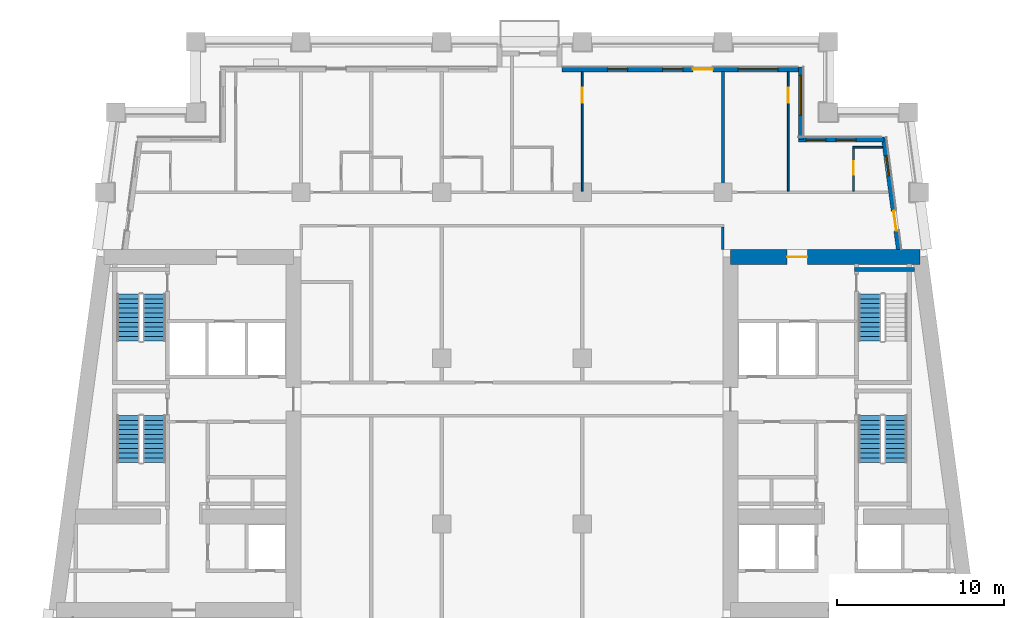
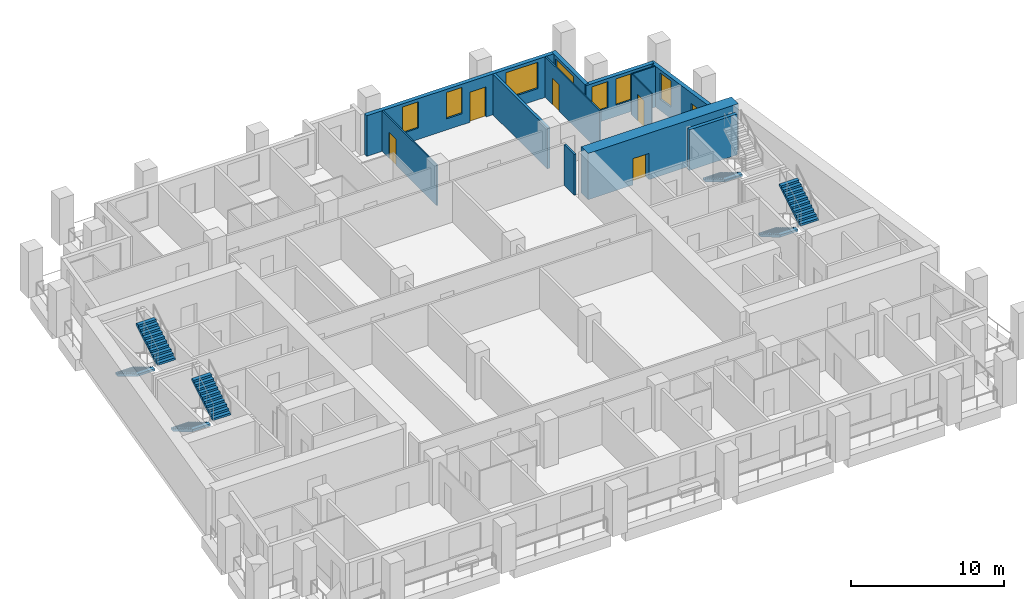
# One storey, part 7 of 13: 12 walls, 7 stair flights, 7 windows, 6 doors, 13 openings, 4 elements without a shape of their own.
"""IFC4 building model written with IfcOpenShell, lengths in metres."""

from ifc_helpers import new_model, si_unit, direction, frame, frame_2d, origin, place, context, subcontext, project, spatial, polyline, rectangle, outline, extrude, material, layer, layer_set, type_object, element, fill, aggregate, save


model = new_model("IFC4")

# Units and contexts
model_context = context("Model", 3, precision=1e-05, world=origin(), true_north=direction((0.0, 1.0)))
body_context = subcontext(model_context, "Body", "Model", "MODEL_VIEW")
ifc_project = project(units=[si_unit("LENGTHUNIT", "METRE"), si_unit("AREAUNIT", "SQUARE_METRE"), si_unit("VOLUMEUNIT", "CUBIC_METRE"), si_unit("PLANEANGLEUNIT", "RADIAN"), si_unit("MASSUNIT", "GRAM", prefix="KILO")], contexts=[model_context])

# Site, building, storey
site_placement = place(None, origin())
site = spatial("IfcSite", under=ifc_project, at=site_placement, CompositionType="ELEMENT")
building_placement = place(site_placement, origin())
building = spatial("IfcBuilding", under=site, at=building_placement, Name="Candeia Pilgrim Tower and Theatre", CompositionType="ELEMENT")
storey_placement = place(building_placement, frame((0.0, 0.0, 188.5)))
storey = spatial("IfcBuildingStorey", under=building, at=storey_placement, Name="L45", CompositionType="ELEMENT", Elevation=188.5)

# Wall, opening, door
ifc_material_1 = material(Name="Concrete C60/75", Category="concrete")
ifc_layer_1 = layer(ifc_material_1, 0.89990234375)
ifc_layer_set_1 = layer_set([ifc_layer_1], Name="Core wall 900 C60/75")
wall_type_1 = type_object("IfcWallType", Name="Core wall 900 C60/75", PredefinedType="SHEAR", material=ifc_layer_set_1)
wall_1_placement = place(storey_placement, frame((126.449951171875, 131.949951171875, 0.0), z_axis=(0.0, 0.0, 1.0), x_axis=(1.0, 0.0, 0.0)))
wall_1 = element("IfcWall", 1, at=wall_1_placement, inside=storey, type_object=wall_type_1, Name="Core wall E1", PredefinedType="SHEAR", context=body_context, shape_type="SweptSolid", body=[
    extrude(rectangle(XDim=11.32568359375, YDim=0.89990234375, at=frame_2d((5.662841796875, 0.0))), origin(), (0.0, 0.0, 1.0), 3.699951171875),
])
opening_1_placement = place(wall_1_placement, frame((3.386474609375, 0.0, 0.0)))
opening_1 = element("IfcOpeningElement", 2, at=opening_1_placement, cuts=wall_1, Name="Opening L45-D059", PredefinedType="OPENING", context=body_context, shape_type="SweptSolid", body=[
    extrude(rectangle(XDim=1.199951171875, YDim=2.10009765625, at=frame_2d((0.60009765625, 1.050048828125))), frame((0.0, 0.4599609375, 0.0), z_axis=(0.0, -1.0, 0.0), x_axis=(1.0, 0.0, 0.0)), (0.0, 0.0, 1.0), 0.919921875),
])
ifc_material_2 = material(Name="Steel fire door set", Category="steel")
door_type_1 = type_object("IfcDoorType", Name="D-1200-FD60", OperationType="NOTDEFINED", PredefinedType="DOOR", material=ifc_material_2)
door_1_placement = place(opening_1_placement, origin())
door_1 = element("IfcDoor", 3, at=door_1_placement, inside=storey, type_object=door_type_1, Name="Door L45-D059", OperationType="SINGLE_SWING_RIGHT", OverallHeight=2.10009765625, OverallWidth=1.199951171875, PredefinedType="DOOR", context=body_context, shape_type="SweptSolid", body=[
    extrude(rectangle(XDim=1.199951171875, YDim=2.10009765625, at=frame_2d((0.60009765625, 1.050048828125))), frame((0.0, 0.02490234375, 0.0), z_axis=(0.0, -1.0, 0.0), x_axis=(1.0, 0.0, 0.0)), (0.0, 0.0, 1.0), 0.050048828125),
])
fill(opening_1, door_1)

# Wall, openings, door, window
ifc_material_3 = material(Name="Ceramic block masonry", Category="masonry")
ifc_layer_2 = layer(ifc_material_3, 0.300048828125)
ifc_layer_set_2 = layer_set([ifc_layer_2], Name="EW1 glazing-line wall 300")
wall_type_2 = type_object("IfcWallType", Name="EW1 glazing-line wall 300", PredefinedType="SOLIDWALL", material=ifc_layer_set_2)
wall_2_placement = place(storey_placement, frame((136.50439453125, 132.39990234375, 0.0), z_axis=(0.0, 0.0, 1.0), x_axis=(-0.133399697462, 0.99106231929, 0.0)))
wall_2 = element("IfcWall", 4, at=wall_2_placement, inside=storey, type_object=wall_type_2, Name="External wall L45-3.1", PredefinedType="SOLIDWALL", context=body_context, shape_type="SweptSolid", body=[
    extrude(rectangle(XDim=6.740478515625, YDim=0.300048828125, at=frame_2d((3.3701171875, 0.0))), origin(), (0.0, 0.0, 1.0), 3.25),
])
opening_2_placement = place(wall_2_placement, frame((1.115234375, 0.0, 0.0)))
opening_2 = element("IfcOpeningElement", 5, at=opening_2_placement, cuts=wall_2, Name="Opening L45-ED433", PredefinedType="OPENING", context=body_context, shape_type="SweptSolid", body=[
    extrude(rectangle(XDim=1.199951171875, YDim=2.39990234375, at=frame_2d((0.60009765625, 1.199951171875))), frame((0.0, 0.16015625, 0.0), z_axis=(0.0, -1.0, 0.0), x_axis=(1.0, 0.0, 0.0)), (0.0, 0.0, 1.0), 0.320068359375),
])
opening_3_placement = place(wall_2_placement, frame((4.435546875, 0.0, 0.89990234375)))
opening_3 = element("IfcOpeningElement", 6, at=opening_3_placement, cuts=wall_2, Name="Opening W-B", PredefinedType="OPENING", context=body_context, shape_type="SweptSolid", body=[
    extrude(rectangle(XDim=1.199951171875, YDim=2.10009765625, at=frame_2d((0.60009765625, 1.050048828125))), frame((0.0, 0.16015625, 0.0), z_axis=(0.0, -1.0, 0.0), x_axis=(1.0, 0.0, 0.0)), (0.0, 0.0, 1.0), 0.320068359375),
])
ifc_material_4 = material(Name="Aluminium framed glazed door", Category="aluminium")
door_type_2 = type_object("IfcDoorType", Name="Loggia door 1200x2400", OperationType="DOUBLE_DOOR_SINGLE_SWING", PredefinedType="DOOR", material=ifc_material_4)
door_2_placement = place(opening_2_placement, origin())
door_2 = element("IfcDoor", 7, at=door_2_placement, inside=storey, type_object=door_type_2, Name="Loggia door L45-ED433", OperationType="DOUBLE_DOOR_SINGLE_SWING", OverallHeight=2.39990234375, OverallWidth=1.199951171875, PredefinedType="DOOR", context=body_context, shape_type="SweptSolid", body=[
    extrude(rectangle(XDim=1.199951171875, YDim=2.39990234375, at=frame_2d((0.60009765625, 1.199951171875))), frame((0.0, 0.02490234375, 0.0), z_axis=(0.0, -1.0, 0.0), x_axis=(1.0, 0.0, 0.0)), (0.0, 0.0, 1.0), 0.050048828125),
])
fill(opening_2, door_2)
ifc_material_5 = material(Name="Aluminium framed double glazing", Category="aluminium")
window_type_1 = type_object("IfcWindowType", Name="W-B window 1200x2100", PartitioningType="SINGLE_PANEL", PredefinedType="WINDOW", material=ifc_material_5)
window_1_placement = place(opening_3_placement, origin())
window_1 = element("IfcWindow", 8, at=window_1_placement, inside=storey, type_object=window_type_1, Name="Window W-B L45", OverallHeight=2.10009765625, OverallWidth=1.199951171875, PartitioningType="SINGLE_PANEL", PredefinedType="WINDOW", context=body_context, shape_type="SweptSolid", body=[
    extrude(rectangle(XDim=1.199951171875, YDim=2.10009765625, at=frame_2d((0.60009765625, 1.050048828125))), frame((0.0, 0.030029296875, 0.0), z_axis=(0.0, -1.0, 0.0), x_axis=(1.0, 0.0, 0.0)), (0.0, 0.0, 1.0), 0.06005859375),
])
fill(opening_3, window_1)

# Wall, openings, windows
wall_3_placement = place(storey_placement, frame((135.62255859375, 138.949951171875, 0.0), z_axis=(0.0, 0.0, 1.0), x_axis=(-1.0, 0.0, 0.0)))
wall_3 = element("IfcWall", 9, at=wall_3_placement, inside=storey, type_object=wall_type_2, Name="External wall L45-4.0", PredefinedType="SOLIDWALL", context=body_context, shape_type="SweptSolid", body=[
    extrude(rectangle(XDim=5.12255859375, YDim=0.300048828125, at=frame_2d((2.561279296875, 0.0))), origin(), (0.0, 0.0, 1.0), 3.25),
])
opening_4_placement = place(wall_3_placement, frame((1.672607421875, 0.0, 0.89990234375)))
opening_4 = element("IfcOpeningElement", 10, at=opening_4_placement, cuts=wall_3, Name="Opening W-B", PredefinedType="OPENING", context=body_context, shape_type="SweptSolid", body=[
    extrude(rectangle(XDim=1.199951171875, YDim=2.10009765625, at=frame_2d((0.60009765625, 1.050048828125))), frame((0.0, 0.16015625, 0.0), z_axis=(0.0, -1.0, 0.0), x_axis=(1.0, 0.0, 0.0)), (0.0, 0.0, 1.0), 0.320068359375),
])
opening_5_placement = place(wall_3_placement, frame((3.47265625, 0.0, 0.89990234375)))
opening_5 = element("IfcOpeningElement", 11, at=opening_5_placement, cuts=wall_3, Name="Opening W-B", PredefinedType="OPENING", context=body_context, shape_type="SweptSolid", body=[
    extrude(rectangle(XDim=1.199951171875, YDim=2.10009765625, at=frame_2d((0.60009765625, 1.050048828125))), frame((0.0, 0.16015625, 0.0), z_axis=(0.0, -1.0, 0.0), x_axis=(1.0, 0.0, 0.0)), (0.0, 0.0, 1.0), 0.320068359375),
])
window_2_placement = place(opening_4_placement, origin())
window_2 = element("IfcWindow", 12, at=window_2_placement, inside=storey, type_object=window_type_1, Name="Window W-B L45", OverallHeight=2.10009765625, OverallWidth=1.199951171875, PartitioningType="SINGLE_PANEL", PredefinedType="WINDOW", context=body_context, shape_type="SweptSolid", body=[
    extrude(rectangle(XDim=1.199951171875, YDim=2.10009765625, at=frame_2d((0.60009765625, 1.050048828125))), frame((0.0, 0.030029296875, 0.0), z_axis=(0.0, -1.0, 0.0), x_axis=(1.0, 0.0, 0.0)), (0.0, 0.0, 1.0), 0.06005859375),
])
fill(opening_4, window_2)
window_3_placement = place(opening_5_placement, origin())
window_3 = element("IfcWindow", 13, at=window_3_placement, inside=storey, type_object=window_type_1, Name="Window W-B L45", OverallHeight=2.10009765625, OverallWidth=1.199951171875, PartitioningType="SINGLE_PANEL", PredefinedType="WINDOW", context=body_context, shape_type="SweptSolid", body=[
    extrude(rectangle(XDim=1.199951171875, YDim=2.10009765625, at=frame_2d((0.60009765625, 1.050048828125))), frame((0.0, 0.030029296875, 0.0), z_axis=(0.0, -1.0, 0.0), x_axis=(1.0, 0.0, 0.0)), (0.0, 0.0, 1.0), 0.06005859375),
])
fill(opening_5, window_3)

# Wall, opening, window
wall_4_placement = place(storey_placement, frame((130.64990234375, 138.949951171875, 0.0), z_axis=(0.0, 0.0, 1.0), x_axis=(0.0, 1.0, 0.0)))
wall_4 = element("IfcWall", 14, at=wall_4_placement, inside=storey, type_object=wall_type_2, Name="External wall L45-5.0", PredefinedType="SOLIDWALL", context=body_context, shape_type="SweptSolid", body=[
    extrude(rectangle(XDim=4.35009765625, YDim=0.300048828125, at=frame_2d((2.175048828125, 0.0))), origin(), (0.0, 0.0, 1.0), 3.25),
])
opening_6_placement = place(wall_4_placement, frame((1.449951171875, 0.0, 0.89990234375)))
opening_6 = element("IfcOpeningElement", 15, at=opening_6_placement, cuts=wall_4, Name="Opening W-A", PredefinedType="OPENING", context=body_context, shape_type="SweptSolid", body=[
    extrude(rectangle(XDim=2.39990234375, YDim=2.10009765625, at=frame_2d((1.199951171875, 1.050048828125))), frame((0.0, 0.16015625, 0.0), z_axis=(0.0, -1.0, 0.0), x_axis=(1.0, 0.0, 0.0)), (0.0, 0.0, 1.0), 0.320068359375),
])
window_type_2 = type_object("IfcWindowType", Name="W-A window 2400x2100", PartitioningType="DOUBLE_PANEL_VERTICAL", PredefinedType="WINDOW", material=ifc_material_5)
window_4_placement = place(opening_6_placement, origin())
window_4 = element("IfcWindow", 16, at=window_4_placement, inside=storey, type_object=window_type_2, Name="Window W-A L45", OverallHeight=2.10009765625, OverallWidth=2.39990234375, PartitioningType="SINGLE_PANEL", PredefinedType="WINDOW", context=body_context, shape_type="SweptSolid", body=[
    extrude(rectangle(XDim=2.39990234375, YDim=2.10009765625, at=frame_2d((1.199951171875, 1.050048828125))), frame((0.0, 0.030029296875, 0.0), z_axis=(0.0, -1.0, 0.0), x_axis=(1.0, 0.0, 0.0)), (0.0, 0.0, 1.0), 0.06005859375),
])
fill(opening_6, window_4)

# Wall, openings, door, windows
wall_5_placement = place(storey_placement, frame((130.64990234375, 143.14990234375, 0.0), z_axis=(0.0, 0.0, 1.0), x_axis=(-1.0, 0.0, 0.0)))
wall_5 = element("IfcWall", 17, at=wall_5_placement, inside=storey, type_object=wall_type_2, Name="External wall L45-6.0", PredefinedType="SOLIDWALL", context=body_context, shape_type="SweptSolid", body=[
    extrude(rectangle(XDim=14.25, YDim=0.300048828125, at=frame_2d((7.125, 0.0))), origin(), (0.0, 0.0, 1.0), 3.25),
])
opening_7_placement = place(wall_5_placement, frame((1.35009765625, 0.0, 0.89990234375)))
opening_7 = element("IfcOpeningElement", 18, at=opening_7_placement, cuts=wall_5, Name="Opening W-A", PredefinedType="OPENING", context=body_context, shape_type="SweptSolid", body=[
    extrude(rectangle(XDim=2.39990234375, YDim=2.10009765625, at=frame_2d((1.199951171875, 1.050048828125))), frame((0.0, 0.16015625, 0.0), z_axis=(0.0, -1.0, 0.0), x_axis=(1.0, 0.0, 0.0)), (0.0, 0.0, 1.0), 0.320068359375),
])
opening_8_placement = place(wall_5_placement, frame((5.25, 0.0, 0.0)))
opening_8 = element("IfcOpeningElement", 19, at=opening_8_placement, cuts=wall_5, Name="Opening L45-ED434", PredefinedType="OPENING", context=body_context, shape_type="SweptSolid", body=[
    extrude(rectangle(XDim=1.199951171875, YDim=2.39990234375, at=frame_2d((0.60009765625, 1.199951171875))), frame((0.0, 0.16015625, 0.0), z_axis=(0.0, -1.0, 0.0), x_axis=(1.0, 0.0, 0.0)), (0.0, 0.0, 1.0), 0.320068359375),
])
opening_9_placement = place(wall_5_placement, frame((7.050048828125, 0.0, 0.89990234375)))
opening_9 = element("IfcOpeningElement", 20, at=opening_9_placement, cuts=wall_5, Name="Opening W-B", PredefinedType="OPENING", context=body_context, shape_type="SweptSolid", body=[
    extrude(rectangle(XDim=1.199951171875, YDim=2.10009765625, at=frame_2d((0.60009765625, 1.050048828125))), frame((0.0, 0.16015625, 0.0), z_axis=(0.0, -1.0, 0.0), x_axis=(1.0, 0.0, 0.0)), (0.0, 0.0, 1.0), 0.320068359375),
])
opening_10_placement = place(wall_5_placement, frame((10.35009765625, 0.0, 0.89990234375)))
opening_10 = element("IfcOpeningElement", 21, at=opening_10_placement, cuts=wall_5, Name="Opening W-B", PredefinedType="OPENING", context=body_context, shape_type="SweptSolid", body=[
    extrude(rectangle(XDim=1.199951171875, YDim=2.10009765625, at=frame_2d((0.60009765625, 1.050048828125))), frame((0.0, 0.16015625, 0.0), z_axis=(0.0, -1.0, 0.0), x_axis=(1.0, 0.0, 0.0)), (0.0, 0.0, 1.0), 0.320068359375),
])
door_3_placement = place(opening_8_placement, origin())
door_3 = element("IfcDoor", 22, at=door_3_placement, inside=storey, type_object=door_type_2, Name="Loggia door L45-ED434", OperationType="DOUBLE_DOOR_SINGLE_SWING", OverallHeight=2.39990234375, OverallWidth=1.199951171875, PredefinedType="DOOR", context=body_context, shape_type="SweptSolid", body=[
    extrude(rectangle(XDim=1.199951171875, YDim=2.39990234375, at=frame_2d((0.60009765625, 1.199951171875))), frame((0.0, 0.02490234375, 0.0), z_axis=(0.0, -1.0, 0.0), x_axis=(1.0, 0.0, 0.0)), (0.0, 0.0, 1.0), 0.050048828125),
])
fill(opening_8, door_3)
window_5_placement = place(opening_7_placement, origin())
window_5 = element("IfcWindow", 23, at=window_5_placement, inside=storey, type_object=window_type_2, Name="Window W-A L45", OverallHeight=2.10009765625, OverallWidth=2.39990234375, PartitioningType="SINGLE_PANEL", PredefinedType="WINDOW", context=body_context, shape_type="SweptSolid", body=[
    extrude(rectangle(XDim=2.39990234375, YDim=2.10009765625, at=frame_2d((1.199951171875, 1.050048828125))), frame((0.0, 0.030029296875, 0.0), z_axis=(0.0, -1.0, 0.0), x_axis=(1.0, 0.0, 0.0)), (0.0, 0.0, 1.0), 0.06005859375),
])
fill(opening_7, window_5)
window_6_placement = place(opening_9_placement, origin())
window_6 = element("IfcWindow", 24, at=window_6_placement, inside=storey, type_object=window_type_1, Name="Window W-B L45", OverallHeight=2.10009765625, OverallWidth=1.199951171875, PartitioningType="SINGLE_PANEL", PredefinedType="WINDOW", context=body_context, shape_type="SweptSolid", body=[
    extrude(rectangle(XDim=1.199951171875, YDim=2.10009765625, at=frame_2d((0.60009765625, 1.050048828125))), frame((0.0, 0.030029296875, 0.0), z_axis=(0.0, -1.0, 0.0), x_axis=(1.0, 0.0, 0.0)), (0.0, 0.0, 1.0), 0.06005859375),
])
fill(opening_9, window_6)
window_7_placement = place(opening_10_placement, origin())
window_7 = element("IfcWindow", 25, at=window_7_placement, inside=storey, type_object=window_type_1, Name="Window W-B L45", OverallHeight=2.10009765625, OverallWidth=1.199951171875, PartitioningType="SINGLE_PANEL", PredefinedType="WINDOW", context=body_context, shape_type="SweptSolid", body=[
    extrude(rectangle(XDim=1.199951171875, YDim=2.10009765625, at=frame_2d((0.60009765625, 1.050048828125))), frame((0.0, 0.030029296875, 0.0), z_axis=(0.0, -1.0, 0.0), x_axis=(1.0, 0.0, 0.0)), (0.0, 0.0, 1.0), 0.06005859375),
])
fill(opening_10, window_7)

# Wall
ifc_material_6 = material(Name="Gypsum board partition on steel studs", Category="steel")
ifc_layer_3 = layer(ifc_material_6, 0.10009765625)
ifc_layer_set_3 = layer_set([ifc_layer_3], Name="PW-100 room partition")
wall_type_3 = type_object("IfcWallType", Name="PW-100 room partition", PredefinedType="PARTITIONING", material=ifc_layer_set_3)
wall_6_placement = place(storey_placement, frame((133.75, 138.5, 0.0), z_axis=(0.0, 0.0, 1.0), x_axis=(1.0, 0.0, 0.0)))
element("IfcWall", 26, at=wall_6_placement, inside=storey, type_object=wall_type_3, Name="Room partition L45-047", PredefinedType="PARTITIONING", context=body_context, shape_type="SweptSolid", body=[
    extrude(rectangle(XDim=1.7919921875, YDim=0.10009765625, at=frame_2d((0.89599609375, 0.0))), origin(), (0.0, 0.0, 1.0), 3.25),
])

# Wall, opening, door
wall_7_placement = place(storey_placement, frame((117.60009765625, 135.875, 0.0), z_axis=(0.0, 0.0, 1.0), x_axis=(0.0, 1.0, 0.0)))
wall_7 = element("IfcWall", 27, at=wall_7_placement, inside=storey, type_object=wall_type_3, Name="Room partition L45-088", PredefinedType="PARTITIONING", context=body_context, shape_type="SweptSolid", body=[
    extrude(rectangle(XDim=7.135009765625, YDim=0.10009765625, at=frame_2d((3.5673828125, 0.0))), origin(), (0.0, 0.0, 1.0), 3.25),
])
opening_11_placement = place(wall_7_placement, frame((5.2900390625, 0.0, 0.0)))
opening_11 = element("IfcOpeningElement", 28, at=opening_11_placement, cuts=wall_7, Name="Opening L45-D041", PredefinedType="OPENING", context=body_context, shape_type="SweptSolid", body=[
    extrude(rectangle(XDim=0.89990234375, YDim=2.10009765625, at=frame_2d((0.449951171875, 1.050048828125))), frame((0.0, 0.06005859375, 0.0), z_axis=(0.0, -1.0, 0.0), x_axis=(1.0, 0.0, 0.0)), (0.0, 0.0, 1.0), 0.1201171875),
])
ifc_material_7 = material(Name="Timber door leaf", Category="wood")
door_type_3 = type_object("IfcDoorType", Name="D-900", OperationType="NOTDEFINED", PredefinedType="DOOR", material=ifc_material_7)
door_4_placement = place(opening_11_placement, origin())
door_4 = element("IfcDoor", 29, at=door_4_placement, inside=storey, type_object=door_type_3, Name="Door L45-D041", OperationType="SINGLE_SWING_RIGHT", OverallHeight=2.10009765625, OverallWidth=0.89990234375, PredefinedType="DOOR", context=body_context, shape_type="SweptSolid", body=[
    extrude(rectangle(XDim=0.89990234375, YDim=2.10009765625, at=frame_2d((0.449951171875, 1.050048828125))), frame((0.0, 0.02490234375, 0.0), z_axis=(0.0, -1.0, 0.0), x_axis=(1.0, 0.0, 0.0)), (0.0, 0.0, 1.0), 0.050048828125),
])
fill(opening_11, door_4)

wall_8_placement = place(storey_placement, frame((129.89990234375, 135.875, 0.0), z_axis=(0.0, 0.0, 1.0), x_axis=(0.0, 1.0, 0.0)))
wall_8 = element("IfcWall", 30, at=wall_8_placement, inside=storey, type_object=wall_type_3, Name="Room partition L45-103", PredefinedType="PARTITIONING", context=body_context, shape_type="SweptSolid", body=[
    extrude(rectangle(XDim=7.135009765625, YDim=0.10009765625, at=frame_2d((3.5673828125, 0.0))), origin(), (0.0, 0.0, 1.0), 3.25),
])
opening_12_placement = place(wall_8_placement, frame((5.2900390625, 0.0, 0.0)))
opening_12 = element("IfcOpeningElement", 31, at=opening_12_placement, cuts=wall_8, Name="Opening L45-D044", PredefinedType="OPENING", context=body_context, shape_type="SweptSolid", body=[
    extrude(rectangle(XDim=0.89990234375, YDim=2.10009765625, at=frame_2d((0.449951171875, 1.050048828125))), frame((0.0, 0.06005859375, 0.0), z_axis=(0.0, -1.0, 0.0), x_axis=(1.0, 0.0, 0.0)), (0.0, 0.0, 1.0), 0.1201171875),
])
door_5_placement = place(opening_12_placement, origin())
door_5 = element("IfcDoor", 32, at=door_5_placement, inside=storey, type_object=door_type_3, Name="Door L45-D044", OperationType="SINGLE_SWING_LEFT", OverallHeight=2.10009765625, OverallWidth=0.89990234375, PredefinedType="DOOR", context=body_context, shape_type="SweptSolid", body=[
    extrude(rectangle(XDim=0.89990234375, YDim=2.10009765625, at=frame_2d((0.449951171875, 1.050048828125))), frame((0.0, 0.02490234375, 0.0), z_axis=(0.0, -1.0, 0.0), x_axis=(1.0, 0.0, 0.0)), (0.0, 0.0, 1.0), 0.050048828125),
])
fill(opening_12, door_5)

wall_9_placement = place(storey_placement, frame((133.800048828125, 135.875, 0.0), z_axis=(0.0, 0.0, 1.0), x_axis=(0.0, 1.0, 0.0)))
wall_9 = element("IfcWall", 33, at=wall_9_placement, inside=storey, type_object=wall_type_3, Name="Room partition L45-109", PredefinedType="PARTITIONING", context=body_context, shape_type="SweptSolid", body=[
    extrude(rectangle(XDim=2.574951171875, YDim=0.10009765625, at=frame_2d((1.28759765625, 0.0))), origin(), (0.0, 0.0, 1.0), 3.25),
])
opening_13_placement = place(wall_9_placement, frame((0.9951171875, 0.0, 0.0)))
opening_13 = element("IfcOpeningElement", 34, at=opening_13_placement, cuts=wall_9, Name="Opening L45-D045", PredefinedType="OPENING", context=body_context, shape_type="SweptSolid", body=[
    extrude(rectangle(XDim=0.800048828125, YDim=2.10009765625, at=frame_2d((0.39990234375, 1.050048828125))), frame((0.0, 0.06005859375, 0.0), z_axis=(0.0, -1.0, 0.0), x_axis=(1.0, 0.0, 0.0)), (0.0, 0.0, 1.0), 0.1201171875),
])
door_type_4 = type_object("IfcDoorType", Name="D-800", OperationType="NOTDEFINED", PredefinedType="DOOR", material=ifc_material_7)
door_6_placement = place(opening_13_placement, origin())
door_6 = element("IfcDoor", 35, at=door_6_placement, inside=storey, type_object=door_type_4, Name="Door L45-D045", OperationType="SINGLE_SWING_RIGHT", OverallHeight=2.10009765625, OverallWidth=0.800048828125, PredefinedType="DOOR", context=body_context, shape_type="SweptSolid", body=[
    extrude(rectangle(XDim=0.800048828125, YDim=2.10009765625, at=frame_2d((0.39990234375, 1.050048828125))), frame((0.0, 0.02490234375, 0.0), z_axis=(0.0, -1.0, 0.0), x_axis=(1.0, 0.0, 0.0)), (0.0, 0.0, 1.0), 0.050048828125),
])
fill(opening_13, door_6)

# Walls
ifc_layer_4 = layer(ifc_material_6, 0.14990234375)
ifc_layer_set_4 = layer_set([ifc_layer_4], Name="PW-150 unit wall")
wall_type_4 = type_object("IfcWallType", Name="PW-150 unit wall", PredefinedType="PARTITIONING", material=ifc_layer_set_4)
wall_10_placement = place(storey_placement, frame((126.0, 132.39990234375, 0.0), z_axis=(0.0, 0.0, 1.0), x_axis=(0.0, 1.0, 0.0)))
element("IfcWall", 36, at=wall_10_placement, inside=storey, type_object=wall_type_4, Name="Unit wall L45-098", PredefinedType="PARTITIONING", context=body_context, shape_type="SweptSolid", body=[
    extrude(rectangle(XDim=1.3251953125, YDim=0.14990234375, at=frame_2d((0.66259765625, 0.0))), origin(), (0.0, 0.0, 1.0), 3.25),
])
ifc_layer_5 = layer(ifc_material_6, 0.199951171875)
ifc_layer_set_5 = layer_set([ifc_layer_5], Name="PW-200 party wall")
wall_type_5 = type_object("IfcWallType", Name="PW-200 party wall", PredefinedType="PARTITIONING", material=ifc_layer_set_5)
wall_11_placement = place(storey_placement, frame((126.0, 135.875, 0.0), z_axis=(0.0, 0.0, 1.0), x_axis=(0.0, 1.0, 0.0)))
element("IfcWall", 37, at=wall_11_placement, inside=storey, type_object=wall_type_5, Name="Party wall L45-096", PredefinedType="PARTITIONING", context=body_context, shape_type="SweptSolid", body=[
    extrude(rectangle(XDim=7.135009765625, YDim=0.199951171875, at=frame_2d((3.5673828125, 0.0))), origin(), (0.0, 0.0, 1.0), 3.25),
])
ifc_material_8 = material(Name="Concrete C40/50", Category="concrete")
ifc_layer_6 = layer(ifc_material_8, 0.25)
ifc_layer_set_6 = layer_set([ifc_layer_6], Name="SW-250 stair wall")
wall_type_6 = type_object("IfcWallType", Name="SW-250 stair wall", PredefinedType="PARTITIONING", material=ifc_layer_set_6)
wall_12_placement = place(storey_placement, frame((133.847900390625, 131.199951171875, 0.0), z_axis=(0.0, 0.0, 1.0), x_axis=(1.0, 0.0, 0.0)))
element("IfcWall", 38, at=wall_12_placement, inside=storey, type_object=wall_type_6, Name="Stair wall L45-039", PredefinedType="PARTITIONING", context=body_context, shape_type="SweptSolid", body=[
    extrude(rectangle(XDim=3.604736328125, YDim=0.25, at=frame_2d((1.80224609375, 0.0))), origin(), (0.0, 0.0, 1.0), 3.25),
])

# Stair, stair flights
stair_type = type_object("IfcStairType", Name="ST-TWR dog-leg escape stair", PredefinedType="HALF_TURN_STAIR", material=ifc_material_8)
stair_1_placement = place(storey_placement, origin())
stair_1 = element("IfcStair", 39, at=stair_1_placement, inside=storey, type_object=stair_type, Name="L45 Escape stair ST1", PredefinedType="HALF_TURN_STAIR")
stair_flight_type = type_object("IfcStairFlightType", Name="SFL-RC stair flight", PredefinedType="STRAIGHT", material=ifc_material_8)
stair_flight_1_placement = place(storey_placement, frame((90.47705078125, 122.47509765625, 0.0), z_axis=(0.0, 0.0, 1.0), x_axis=(0.0, -1.0, 0.0)))
stair_flight_1 = element("IfcStairFlight", 40, at=stair_flight_1_placement, type_object=stair_flight_type, Name="ST1 flight 1", NumberOfRisers=11, NumberOfTreads=10, PredefinedType="STRAIGHT", RiserHeight=0.168181818, TreadLength=0.28, context=body_context, shape_type="SweptSolid", body=[
    extrude(outline(polyline([(0.0, 0.0), (0.0, 0.168212890625), (0.280029296875, 0.168212890625), (0.280029296875, 0.33642578125), (0.56005859375, 0.33642578125), (0.56005859375, 0.504638671875), (0.840087890625, 0.504638671875), (0.840087890625, 0.672607421875), (1.1201171875, 0.672607421875), (1.1201171875, 0.8408203125), (1.39990234375, 0.8408203125), (1.39990234375, 1.009033203125), (1.679931640625, 1.009033203125), (1.679931640625, 1.17724609375), (1.9599609375, 1.17724609375), (1.9599609375, 1.345458984375), (2.239990234375, 1.345458984375), (2.239990234375, 1.513671875), (2.52001953125, 1.513671875), (2.52001953125, 1.681884765625), (2.800048828125, 1.681884765625), (2.800048828125, 1.85009765625), (2.800048828125, 1.5068359375), (0.291015625, 0.0), (0.0, 0.0)])), frame((0.0, 0.675048828125, 0.0), z_axis=(0.0, -1.0, 0.0), x_axis=(1.0, 0.0, 0.0)), (0.0, 0.0, 1.0), 1.35009765625),
])
stair_flight_2_placement = place(storey_placement, frame((92.027099609375, 119.675048828125, 1.85009765625), z_axis=(0.0, 0.0, 1.0), x_axis=(0.0, 1.0, 0.0)))
stair_flight_2 = element("IfcStairFlight", 41, at=stair_flight_2_placement, type_object=stair_flight_type, Name="ST1 flight 2", NumberOfRisers=11, NumberOfTreads=10, PredefinedType="STRAIGHT", RiserHeight=0.168181818, TreadLength=0.28, context=body_context, shape_type="SweptSolid", body=[
    extrude(outline(polyline([(0.0, 0.0), (0.0, 0.168212890625), (0.280029296875, 0.168212890625), (0.280029296875, 0.33642578125), (0.56005859375, 0.33642578125), (0.56005859375, 0.504638671875), (0.840087890625, 0.504638671875), (0.840087890625, 0.672607421875), (1.1201171875, 0.672607421875), (1.1201171875, 0.8408203125), (1.39990234375, 0.8408203125), (1.39990234375, 1.009033203125), (1.679931640625, 1.009033203125), (1.679931640625, 1.17724609375), (1.9599609375, 1.17724609375), (1.9599609375, 1.345458984375), (2.239990234375, 1.345458984375), (2.239990234375, 1.513671875), (2.52001953125, 1.513671875), (2.52001953125, 1.681884765625), (2.800048828125, 1.681884765625), (2.800048828125, 1.85009765625), (2.800048828125, 1.5068359375), (0.291015625, 0.0), (0.0, 0.0)])), frame((0.0, 0.675048828125, 0.0), z_axis=(0.0, -1.0, 0.0), x_axis=(1.0, 0.0, 0.0)), (0.0, 0.0, 1.0), 1.35009765625),
])
aggregate(stair_1, [stair_flight_1, stair_flight_2])

stair_2_placement = place(storey_placement, origin())
stair_2 = element("IfcStair", 42, at=stair_2_placement, inside=storey, type_object=stair_type, Name="L45 Escape stair ST2", PredefinedType="HALF_TURN_STAIR")
stair_flight_3_placement = place(storey_placement, frame((90.47705078125, 129.72509765625, 0.0), z_axis=(0.0, 0.0, 1.0), x_axis=(0.0, -1.0, 0.0)))
stair_flight_3 = element("IfcStairFlight", 43, at=stair_flight_3_placement, type_object=stair_flight_type, Name="ST2 flight 1", NumberOfRisers=11, NumberOfTreads=10, PredefinedType="STRAIGHT", RiserHeight=0.168181818, TreadLength=0.28, context=body_context, shape_type="SweptSolid", body=[
    extrude(outline(polyline([(0.0, 0.0), (0.0, 0.168212890625), (0.280029296875, 0.168212890625), (0.280029296875, 0.33642578125), (0.56005859375, 0.33642578125), (0.56005859375, 0.504638671875), (0.840087890625, 0.504638671875), (0.840087890625, 0.672607421875), (1.1201171875, 0.672607421875), (1.1201171875, 0.8408203125), (1.39990234375, 0.8408203125), (1.39990234375, 1.009033203125), (1.679931640625, 1.009033203125), (1.679931640625, 1.17724609375), (1.9599609375, 1.17724609375), (1.9599609375, 1.345458984375), (2.239990234375, 1.345458984375), (2.239990234375, 1.513671875), (2.52001953125, 1.513671875), (2.52001953125, 1.681884765625), (2.800048828125, 1.681884765625), (2.800048828125, 1.85009765625), (2.800048828125, 1.5068359375), (0.291015625, 0.0), (0.0, 0.0)])), frame((0.0, 0.675048828125, 0.0), z_axis=(0.0, -1.0, 0.0), x_axis=(1.0, 0.0, 0.0)), (0.0, 0.0, 1.0), 1.35009765625),
])
stair_flight_4_placement = place(storey_placement, frame((92.027099609375, 126.925048828125, 1.85009765625), z_axis=(0.0, 0.0, 1.0), x_axis=(0.0, 1.0, 0.0)))
stair_flight_4 = element("IfcStairFlight", 44, at=stair_flight_4_placement, type_object=stair_flight_type, Name="ST2 flight 2", NumberOfRisers=11, NumberOfTreads=10, PredefinedType="STRAIGHT", RiserHeight=0.168181818, TreadLength=0.28, context=body_context, shape_type="SweptSolid", body=[
    extrude(outline(polyline([(0.0, 0.0), (0.0, 0.168212890625), (0.280029296875, 0.168212890625), (0.280029296875, 0.33642578125), (0.56005859375, 0.33642578125), (0.56005859375, 0.504638671875), (0.840087890625, 0.504638671875), (0.840087890625, 0.672607421875), (1.1201171875, 0.672607421875), (1.1201171875, 0.8408203125), (1.39990234375, 0.8408203125), (1.39990234375, 1.009033203125), (1.679931640625, 1.009033203125), (1.679931640625, 1.17724609375), (1.9599609375, 1.17724609375), (1.9599609375, 1.345458984375), (2.239990234375, 1.345458984375), (2.239990234375, 1.513671875), (2.52001953125, 1.513671875), (2.52001953125, 1.681884765625), (2.800048828125, 1.681884765625), (2.800048828125, 1.85009765625), (2.800048828125, 1.5068359375), (0.291015625, 0.0), (0.0, 0.0)])), frame((0.0, 0.675048828125, 0.0), z_axis=(0.0, -1.0, 0.0), x_axis=(1.0, 0.0, 0.0)), (0.0, 0.0, 1.0), 1.35009765625),
])
aggregate(stair_2, [stair_flight_3, stair_flight_4])

stair_3_placement = place(storey_placement, origin())
stair_3 = element("IfcStair", 45, at=stair_3_placement, inside=storey, type_object=stair_type, Name="L45 Escape stair ST3", PredefinedType="HALF_TURN_STAIR")
stair_flight_5_placement = place(storey_placement, frame((134.77294921875, 122.47509765625, 0.0), z_axis=(0.0, 0.0, 1.0), x_axis=(0.0, -1.0, 0.0)))
stair_flight_5 = element("IfcStairFlight", 46, at=stair_flight_5_placement, type_object=stair_flight_type, Name="ST3 flight 1", NumberOfRisers=11, NumberOfTreads=10, PredefinedType="STRAIGHT", RiserHeight=0.168181818, TreadLength=0.28, context=body_context, shape_type="SweptSolid", body=[
    extrude(outline(polyline([(0.0, 0.0), (0.0, 0.168212890625), (0.280029296875, 0.168212890625), (0.280029296875, 0.33642578125), (0.56005859375, 0.33642578125), (0.56005859375, 0.504638671875), (0.840087890625, 0.504638671875), (0.840087890625, 0.672607421875), (1.1201171875, 0.672607421875), (1.1201171875, 0.8408203125), (1.39990234375, 0.8408203125), (1.39990234375, 1.009033203125), (1.679931640625, 1.009033203125), (1.679931640625, 1.17724609375), (1.9599609375, 1.17724609375), (1.9599609375, 1.345458984375), (2.239990234375, 1.345458984375), (2.239990234375, 1.513671875), (2.52001953125, 1.513671875), (2.52001953125, 1.681884765625), (2.800048828125, 1.681884765625), (2.800048828125, 1.85009765625), (2.800048828125, 1.5068359375), (0.291015625, 0.0), (0.0, 0.0)])), frame((0.0, 0.675048828125, 0.0), z_axis=(0.0, -1.0, 0.0), x_axis=(1.0, 0.0, 0.0)), (0.0, 0.0, 1.0), 1.35009765625),
])
stair_flight_6_placement = place(storey_placement, frame((136.322998046875, 119.675048828125, 1.85009765625), z_axis=(0.0, 0.0, 1.0), x_axis=(0.0, 1.0, 0.0)))
stair_flight_6 = element("IfcStairFlight", 47, at=stair_flight_6_placement, type_object=stair_flight_type, Name="ST3 flight 2", NumberOfRisers=11, NumberOfTreads=10, PredefinedType="STRAIGHT", RiserHeight=0.168181818, TreadLength=0.28, context=body_context, shape_type="SweptSolid", body=[
    extrude(outline(polyline([(0.0, 0.0), (0.0, 0.168212890625), (0.280029296875, 0.168212890625), (0.280029296875, 0.33642578125), (0.56005859375, 0.33642578125), (0.56005859375, 0.504638671875), (0.840087890625, 0.504638671875), (0.840087890625, 0.672607421875), (1.1201171875, 0.672607421875), (1.1201171875, 0.8408203125), (1.39990234375, 0.8408203125), (1.39990234375, 1.009033203125), (1.679931640625, 1.009033203125), (1.679931640625, 1.17724609375), (1.9599609375, 1.17724609375), (1.9599609375, 1.345458984375), (2.239990234375, 1.345458984375), (2.239990234375, 1.513671875), (2.52001953125, 1.513671875), (2.52001953125, 1.681884765625), (2.800048828125, 1.681884765625), (2.800048828125, 1.85009765625), (2.800048828125, 1.5068359375), (0.291015625, 0.0), (0.0, 0.0)])), frame((0.0, 0.675048828125, 0.0), z_axis=(0.0, -1.0, 0.0), x_axis=(1.0, 0.0, 0.0)), (0.0, 0.0, 1.0), 1.35009765625),
])
aggregate(stair_3, [stair_flight_5, stair_flight_6])

# Stair, stair flight
stair_4_placement = place(storey_placement, origin())
stair_4 = element("IfcStair", 48, at=stair_4_placement, inside=storey, type_object=stair_type, Name="L45 Escape stair ST4", PredefinedType="HALF_TURN_STAIR")
stair_flight_7_placement = place(storey_placement, frame((134.77294921875, 129.72509765625, 0.0), z_axis=(0.0, 0.0, 1.0), x_axis=(0.0, -1.0, 0.0)))
stair_flight_7 = element("IfcStairFlight", 49, at=stair_flight_7_placement, type_object=stair_flight_type, Name="ST4 flight 1", NumberOfRisers=11, NumberOfTreads=10, PredefinedType="STRAIGHT", RiserHeight=0.168181818, TreadLength=0.28, context=body_context, shape_type="SweptSolid", body=[
    extrude(outline(polyline([(0.0, 0.0), (0.0, 0.168212890625), (0.280029296875, 0.168212890625), (0.280029296875, 0.33642578125), (0.56005859375, 0.33642578125), (0.56005859375, 0.504638671875), (0.840087890625, 0.504638671875), (0.840087890625, 0.672607421875), (1.1201171875, 0.672607421875), (1.1201171875, 0.8408203125), (1.39990234375, 0.8408203125), (1.39990234375, 1.009033203125), (1.679931640625, 1.009033203125), (1.679931640625, 1.17724609375), (1.9599609375, 1.17724609375), (1.9599609375, 1.345458984375), (2.239990234375, 1.345458984375), (2.239990234375, 1.513671875), (2.52001953125, 1.513671875), (2.52001953125, 1.681884765625), (2.800048828125, 1.681884765625), (2.800048828125, 1.85009765625), (2.800048828125, 1.5068359375), (0.291015625, 0.0), (0.0, 0.0)])), frame((0.0, 0.675048828125, 0.0), z_axis=(0.0, -1.0, 0.0), x_axis=(1.0, 0.0, 0.0)), (0.0, 0.0, 1.0), 1.35009765625),
])
aggregate(stair_4, [stair_flight_7])

save(model, "model.ifc")
